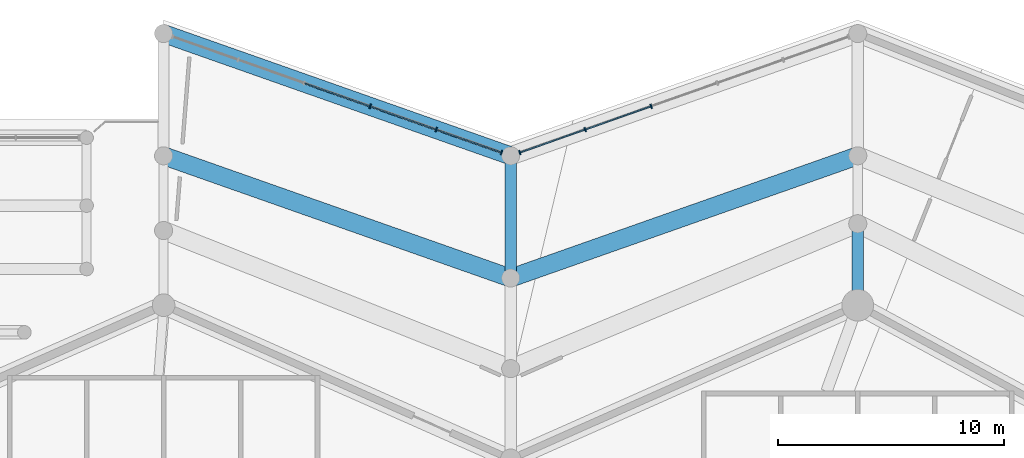
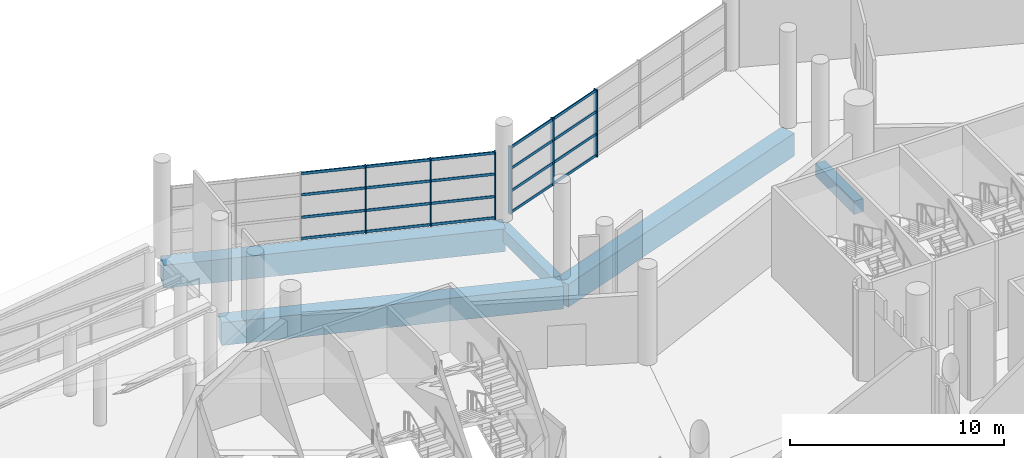
# One storey, part 107 of 271: 26 members, 5 beams, 2 elements without a shape of their own.
"""IFC4 building model written with IfcOpenShell, lengths in metres."""

from ifc_helpers import new_model, si_unit, direction, frame, origin, origin_2d, place, context, subcontext, project, spatial, rectangle, extrude, material, layer, layer_set, material_profile, profile_set, type_object, element, aggregate, save


model = new_model("IFC4")

# Units and contexts
model_context = context("Model", 3, precision=1e-05, world=origin(), true_north=direction((0.0, 1.0)))
body_context = subcontext(model_context, "Body", "Model", "MODEL_VIEW")
ifc_project = project(units=[si_unit("LENGTHUNIT", "METRE"), si_unit("AREAUNIT", "SQUARE_METRE"), si_unit("VOLUMEUNIT", "CUBIC_METRE"), si_unit("PLANEANGLEUNIT", "RADIAN"), si_unit("MASSUNIT", "GRAM", prefix="KILO")], contexts=[model_context])

# Site, building, storey
site_placement = place(None, origin())
site = spatial("IfcSite", under=ifc_project, at=site_placement, CompositionType="ELEMENT")
building_placement = place(site_placement, origin())
building = spatial("IfcBuilding", under=site, at=building_placement, Name="Meseta Stadium", CompositionType="ELEMENT")
storey_placement = place(building_placement, frame((0.0, 0.0, 6.5)))
storey = spatial("IfcBuildingStorey", under=building, at=storey_placement, Name="L01", CompositionType="ELEMENT", Elevation=6.5)

# Beams
ifc_material_1 = material(Name="Concrete C40/50", Category="concrete")
ifc_material_profile_1 = material_profile(ifc_material_1, rectangle(XDim=0.5, YDim=0.75, at=origin_2d()), Name="RC 500x750")
ifc_profile_set_1 = profile_set([ifc_material_profile_1], Name="Concrete C40/50")
beam_type_1 = type_object("IfcBeamType", Name="RC beam 500x750", PredefinedType="BEAM", material=ifc_profile_set_1)
beam_1_placement = place(storey_placement, frame((38.333251953125, 105.39990234375, -0.72509765625), z_axis=(0.0, 1.0, 0.0), x_axis=(-1.0, 0.0, 0.0)))
element("IfcBeam", 1, at=beam_1_placement, inside=storey, type_object=beam_type_1, Name="L01 radial beam frame 16 line R to M", PredefinedType="BEAM", context=body_context, shape_type="SweptSolid", body=[
    extrude(rectangle(XDim=0.5, YDim=0.75, at=origin_2d()), origin(), (0.0, 0.0, 1.0), 3.60009765625),
])
beam_2_placement = place(storey_placement, frame((23.0, 106.60009765625, -0.72509765625), z_axis=(0.0, 1.0, 0.0), x_axis=(-1.0, 0.0, 0.0)))
element("IfcBeam", 2, at=beam_2_placement, inside=storey, type_object=beam_type_1, Name="L01 radial beam frame 17 line Q to O", PredefinedType="BEAM", context=body_context, shape_type="SweptSolid", body=[
    extrude(rectangle(XDim=0.5, YDim=0.75, at=origin_2d()), origin(), (0.0, 0.0, 1.0), 5.39990234375),
])
ifc_material_2 = material(Name="Concrete C40/50", Category="concrete")
ifc_material_profile_2 = material_profile(ifc_material_2, rectangle(XDim=0.800048828125, YDim=1.300048828125, at=origin_2d()), Name="RC 800x1300")
ifc_profile_set_2 = profile_set([ifc_material_profile_2], Name="Concrete C40/50")
beam_type_2 = type_object("IfcBeamType", Name="RC beam 800x1300", PredefinedType="BEAM", material=ifc_profile_set_2)
for number, where, z_axis, x_axis, name in (
    (3, (38.333251953125, 112.0, -1.0), (-0.943218573019, -0.332172731439, 0.0), (0.332172731439, -0.943218573019, 0.0), "L01 ring beam frame 16 line Q"),
    (4, (23.0, 106.60009765625, -1.0), (-0.943218573019, 0.332172731439, 0.0), (-0.332172731439, -0.943218573019, 0.0), "L01 ring beam frame 17 line Q"),
    (5, (23.0, 112.0, -1.0), (-0.943218573019, 0.332172731439, 0.0), (-0.332172731439, -0.943218573019, 0.0), "L01 ring beam frame 17 line O"),
):
    element("IfcBeam", number, at=place(storey_placement, frame(where, z_axis=z_axis, x_axis=x_axis)), inside=storey, type_object=beam_type_2, Name=name, PredefinedType="BEAM", context=body_context, shape_type="SweptSolid", body=[
        extrude(rectangle(XDim=0.800048828125, YDim=1.300048828125, at=origin_2d()), origin(), (0.0, 0.0, 1.0), 16.25634765625),
    ])

# Curtain wall, members
ifc_material_3 = material(Name="Aluminium", Category="aluminium")
ifc_layer = layer(ifc_material_3, 0.199951171875)
ifc_layer_set = layer_set([ifc_layer], Name="Ring shopfront curtain wall")
curtain_wall_type = type_object("IfcCurtainWallType", Name="Ring shopfront curtain wall", PredefinedType="NOTDEFINED", material=ifc_layer_set)
curtain_wall_1_placement = place(storey_placement, origin())
curtain_wall_1 = element("IfcCurtainWall", 6, at=curtain_wall_1_placement, inside=storey, type_object=curtain_wall_type, Name="Ring glazing L01 F16", PredefinedType="NOTDEFINED")
ifc_material_4 = material(Name="Aluminium", Category="aluminium")
ifc_material_profile_3 = material_profile(ifc_material_4, rectangle(XDim=0.199951171875, YDim=0.06005859375, at=origin_2d()), Name="CW 200x60")
ifc_profile_set_3 = profile_set([ifc_material_profile_3], Name="Aluminium")
member_type_1 = type_object("IfcMemberType", Name="Ring CW mullion 60x200", PredefinedType="MULLION", material=ifc_profile_set_3)
member_1_placement = place(storey_placement, frame((29.208740234375, 114.1865234375, 0.0), z_axis=(0.0, 0.0, 1.0), x_axis=(0.332174330154, -0.943218009999, 0.0)))
member_1 = element("IfcMember", 7, at=member_1_placement, type_object=member_type_1, Name="CWR1 mullion 4", PredefinedType="MULLION", context=body_context, shape_type="SweptSolid", body=[
    extrude(rectangle(XDim=0.199951171875, YDim=0.06005859375, at=origin_2d()), origin(), (0.0, 0.0, 1.0), 3.85009765625),
])
member_2_placement = place(storey_placement, frame((26.29296875, 113.15966796875, 0.0), z_axis=(0.0, 0.0, 1.0), x_axis=(0.332174330154, -0.943218009999, 0.0)))
member_2 = element("IfcMember", 8, at=member_2_placement, type_object=member_type_1, Name="CWR1 mullion 5", PredefinedType="MULLION", context=body_context, shape_type="SweptSolid", body=[
    extrude(rectangle(XDim=0.199951171875, YDim=0.06005859375, at=origin_2d()), origin(), (0.0, 0.0, 1.0), 3.85009765625),
])
member_3_placement = place(storey_placement, frame((23.405517578125, 112.142822265625, 0.0), z_axis=(0.0, 0.0, 1.0), x_axis=(0.332174330154, -0.943218009999, 0.0)))
member_3 = element("IfcMember", 9, at=member_3_placement, type_object=member_type_1, Name="CWR1 mullion 6", PredefinedType="MULLION", context=body_context, shape_type="SweptSolid", body=[
    extrude(rectangle(XDim=0.199951171875, YDim=0.06005859375, at=origin_2d()), origin(), (0.0, 0.0, 1.0), 3.85009765625),
])

curtain_wall_2_placement = place(storey_placement, origin())
curtain_wall_2 = element("IfcCurtainWall", 10, at=curtain_wall_2_placement, inside=storey, type_object=curtain_wall_type, Name="Ring glazing L01 F17", PredefinedType="NOTDEFINED")
member_4_placement = place(storey_placement, frame((22.594482421875, 112.142822265625, 0.0), z_axis=(0.0, 0.0, 1.0), x_axis=(-0.332174330154, -0.943218009999, 0.0)))
member_4 = element("IfcMember", 11, at=member_4_placement, type_object=member_type_1, Name="CWR1 mullion 1", PredefinedType="MULLION", context=body_context, shape_type="SweptSolid", body=[
    extrude(rectangle(XDim=0.199951171875, YDim=0.06005859375, at=origin_2d()), origin(), (0.0, 0.0, 1.0), 3.85009765625),
])
member_5_placement = place(storey_placement, frame((19.70703125, 113.15966796875, 0.0), z_axis=(0.0, 0.0, 1.0), x_axis=(-0.332174330154, -0.943218009999, 0.0)))
member_5 = element("IfcMember", 12, at=member_5_placement, type_object=member_type_1, Name="CWR1 mullion 2", PredefinedType="MULLION", context=body_context, shape_type="SweptSolid", body=[
    extrude(rectangle(XDim=0.199951171875, YDim=0.06005859375, at=origin_2d()), origin(), (0.0, 0.0, 1.0), 3.85009765625),
])
member_6_placement = place(storey_placement, frame((16.791259765625, 114.1865234375, 0.0), z_axis=(0.0, 0.0, 1.0), x_axis=(-0.332174330154, -0.943218009999, 0.0)))
member_6 = element("IfcMember", 13, at=member_6_placement, type_object=member_type_1, Name="CWR1 mullion 3", PredefinedType="MULLION", context=body_context, shape_type="SweptSolid", body=[
    extrude(rectangle(XDim=0.199951171875, YDim=0.06005859375, at=origin_2d()), origin(), (0.0, 0.0, 1.0), 3.85009765625),
])

# Member
ifc_material_5 = material(Name="Aluminium", Category="aluminium")
ifc_material_profile_4 = material_profile(ifc_material_5, rectangle(XDim=0.06005859375, YDim=0.14990234375, at=origin_2d()), Name="CW 60x150")
ifc_profile_set_4 = profile_set([ifc_material_profile_4], Name="Aluminium")
member_type_2 = type_object("IfcMemberType", Name="Ring CW transom 60x150", PredefinedType="USERDEFINED", material=ifc_profile_set_4)
member_7_placement = place(storey_placement, frame((29.180419921875, 114.176513671875, 0.074951171875), z_axis=(-0.943225032885, -0.332154387808, 0.0), x_axis=(0.332154387808, -0.943225032885, 0.0)))
member_7 = element("IfcMember", 14, at=member_7_placement, type_object=member_type_2, Name="CWR1 transom 4.1", ObjectType="TRANSOM", PredefinedType="USERDEFINED", context=body_context, shape_type="SweptSolid", body=[
    extrude(rectangle(XDim=0.06005859375, YDim=0.14990234375, at=origin_2d()), origin(), (0.0, 0.0, 1.0), 3.03125),
])

member_8_placement = place(storey_placement, frame((29.180419921875, 114.176513671875, 1.283447265625), z_axis=(-0.943225032885, -0.332154387808, 0.0), x_axis=(0.332154387808, -0.943225032885, 0.0)))
member_8 = element("IfcMember", 15, at=member_8_placement, type_object=member_type_2, Name="CWR1 transom 4.2", ObjectType="TRANSOM", PredefinedType="USERDEFINED", context=body_context, shape_type="SweptSolid", body=[
    extrude(rectangle(XDim=0.06005859375, YDim=0.14990234375, at=origin_2d()), origin(), (0.0, 0.0, 1.0), 3.03125),
])

member_9_placement = place(storey_placement, frame((29.180419921875, 114.176513671875, 2.566650390625), z_axis=(-0.943225032885, -0.332154387808, 0.0), x_axis=(0.332154387808, -0.943225032885, 0.0)))
member_9 = element("IfcMember", 16, at=member_9_placement, type_object=member_type_2, Name="CWR1 transom 4.3", ObjectType="TRANSOM", PredefinedType="USERDEFINED", context=body_context, shape_type="SweptSolid", body=[
    extrude(rectangle(XDim=0.06005859375, YDim=0.14990234375, at=origin_2d()), origin(), (0.0, 0.0, 1.0), 3.03125),
])

member_10_placement = place(storey_placement, frame((29.180419921875, 114.176513671875, 3.77490234375), z_axis=(-0.943225032885, -0.332154387808, 0.0), x_axis=(0.332154387808, -0.943225032885, 0.0)))
member_10 = element("IfcMember", 17, at=member_10_placement, type_object=member_type_2, Name="CWR1 transom 4.4", ObjectType="TRANSOM", PredefinedType="USERDEFINED", context=body_context, shape_type="SweptSolid", body=[
    extrude(rectangle(XDim=0.06005859375, YDim=0.14990234375, at=origin_2d()), origin(), (0.0, 0.0, 1.0), 3.03125),
])

member_11_placement = place(storey_placement, frame((26.2646484375, 113.149658203125, 0.074951171875), z_axis=(-0.943228878245, -0.332143467863, 0.0), x_axis=(0.332143467863, -0.943228878245, 0.0)))
member_11 = element("IfcMember", 18, at=member_11_placement, type_object=member_type_2, Name="CWR1 transom 5.1", ObjectType="TRANSOM", PredefinedType="USERDEFINED", context=body_context, shape_type="SweptSolid", body=[
    extrude(rectangle(XDim=0.06005859375, YDim=0.14990234375, at=origin_2d()), origin(), (0.0, 0.0, 1.0), 3.001220703125),
])

member_12_placement = place(storey_placement, frame((26.2646484375, 113.149658203125, 1.283447265625), z_axis=(-0.943228878245, -0.332143467863, 0.0), x_axis=(0.332143467863, -0.943228878245, 0.0)))
member_12 = element("IfcMember", 19, at=member_12_placement, type_object=member_type_2, Name="CWR1 transom 5.2", ObjectType="TRANSOM", PredefinedType="USERDEFINED", context=body_context, shape_type="SweptSolid", body=[
    extrude(rectangle(XDim=0.06005859375, YDim=0.14990234375, at=origin_2d()), origin(), (0.0, 0.0, 1.0), 3.001220703125),
])

member_13_placement = place(storey_placement, frame((26.2646484375, 113.149658203125, 2.566650390625), z_axis=(-0.943228878245, -0.332143467863, 0.0), x_axis=(0.332143467863, -0.943228878245, 0.0)))
member_13 = element("IfcMember", 20, at=member_13_placement, type_object=member_type_2, Name="CWR1 transom 5.3", ObjectType="TRANSOM", PredefinedType="USERDEFINED", context=body_context, shape_type="SweptSolid", body=[
    extrude(rectangle(XDim=0.06005859375, YDim=0.14990234375, at=origin_2d()), origin(), (0.0, 0.0, 1.0), 3.001220703125),
])

member_14_placement = place(storey_placement, frame((26.2646484375, 113.149658203125, 3.77490234375), z_axis=(-0.943228878245, -0.332143467863, 0.0), x_axis=(0.332143467863, -0.943228878245, 0.0)))
member_14 = element("IfcMember", 21, at=member_14_placement, type_object=member_type_2, Name="CWR1 transom 5.4", ObjectType="TRANSOM", PredefinedType="USERDEFINED", context=body_context, shape_type="SweptSolid", body=[
    extrude(rectangle(XDim=0.06005859375, YDim=0.14990234375, at=origin_2d()), origin(), (0.0, 0.0, 1.0), 3.001220703125),
])

aggregate(curtain_wall_1, [member_1, member_2, member_3, member_7, member_8, member_9, member_10, member_11, member_12, member_13, member_14])

member_15_placement = place(storey_placement, frame((22.566162109375, 112.15283203125, 0.074951171875), z_axis=(-0.943228878245, 0.332143467863, 0.0), x_axis=(-0.332143467863, -0.943228878245, 0.0)))
member_15 = element("IfcMember", 22, at=member_15_placement, type_object=member_type_2, Name="CWR1 transom 1.1", ObjectType="TRANSOM", PredefinedType="USERDEFINED", context=body_context, shape_type="SweptSolid", body=[
    extrude(rectangle(XDim=0.06005859375, YDim=0.14990234375, at=origin_2d()), origin(), (0.0, 0.0, 1.0), 3.001220703125),
])

member_16_placement = place(storey_placement, frame((22.566162109375, 112.15283203125, 1.283447265625), z_axis=(-0.943228878245, 0.332143467863, 0.0), x_axis=(-0.332143467863, -0.943228878245, 0.0)))
member_16 = element("IfcMember", 23, at=member_16_placement, type_object=member_type_2, Name="CWR1 transom 1.2", ObjectType="TRANSOM", PredefinedType="USERDEFINED", context=body_context, shape_type="SweptSolid", body=[
    extrude(rectangle(XDim=0.06005859375, YDim=0.14990234375, at=origin_2d()), origin(), (0.0, 0.0, 1.0), 3.001220703125),
])

member_17_placement = place(storey_placement, frame((22.566162109375, 112.15283203125, 2.566650390625), z_axis=(-0.943228878245, 0.332143467863, 0.0), x_axis=(-0.332143467863, -0.943228878245, 0.0)))
member_17 = element("IfcMember", 24, at=member_17_placement, type_object=member_type_2, Name="CWR1 transom 1.3", ObjectType="TRANSOM", PredefinedType="USERDEFINED", context=body_context, shape_type="SweptSolid", body=[
    extrude(rectangle(XDim=0.06005859375, YDim=0.14990234375, at=origin_2d()), origin(), (0.0, 0.0, 1.0), 3.001220703125),
])

member_18_placement = place(storey_placement, frame((22.566162109375, 112.15283203125, 3.77490234375), z_axis=(-0.943228878245, 0.332143467863, 0.0), x_axis=(-0.332143467863, -0.943228878245, 0.0)))
member_18 = element("IfcMember", 25, at=member_18_placement, type_object=member_type_2, Name="CWR1 transom 1.4", ObjectType="TRANSOM", PredefinedType="USERDEFINED", context=body_context, shape_type="SweptSolid", body=[
    extrude(rectangle(XDim=0.06005859375, YDim=0.14990234375, at=origin_2d()), origin(), (0.0, 0.0, 1.0), 3.001220703125),
])

member_19_placement = place(storey_placement, frame((19.6787109375, 113.169677734375, 0.074951171875), z_axis=(-0.943225032885, 0.332154387808, 0.0), x_axis=(-0.332154387808, -0.943225032885, 0.0)))
member_19 = element("IfcMember", 26, at=member_19_placement, type_object=member_type_2, Name="CWR1 transom 2.1", ObjectType="TRANSOM", PredefinedType="USERDEFINED", context=body_context, shape_type="SweptSolid", body=[
    extrude(rectangle(XDim=0.06005859375, YDim=0.14990234375, at=origin_2d()), origin(), (0.0, 0.0, 1.0), 3.03125),
])

member_20_placement = place(storey_placement, frame((19.6787109375, 113.169677734375, 1.283447265625), z_axis=(-0.943225032885, 0.332154387808, 0.0), x_axis=(-0.332154387808, -0.943225032885, 0.0)))
member_20 = element("IfcMember", 27, at=member_20_placement, type_object=member_type_2, Name="CWR1 transom 2.2", ObjectType="TRANSOM", PredefinedType="USERDEFINED", context=body_context, shape_type="SweptSolid", body=[
    extrude(rectangle(XDim=0.06005859375, YDim=0.14990234375, at=origin_2d()), origin(), (0.0, 0.0, 1.0), 3.03125),
])

member_21_placement = place(storey_placement, frame((19.6787109375, 113.169677734375, 2.566650390625), z_axis=(-0.943225032885, 0.332154387808, 0.0), x_axis=(-0.332154387808, -0.943225032885, 0.0)))
member_21 = element("IfcMember", 28, at=member_21_placement, type_object=member_type_2, Name="CWR1 transom 2.3", ObjectType="TRANSOM", PredefinedType="USERDEFINED", context=body_context, shape_type="SweptSolid", body=[
    extrude(rectangle(XDim=0.06005859375, YDim=0.14990234375, at=origin_2d()), origin(), (0.0, 0.0, 1.0), 3.03125),
])

member_22_placement = place(storey_placement, frame((19.6787109375, 113.169677734375, 3.77490234375), z_axis=(-0.943225032885, 0.332154387808, 0.0), x_axis=(-0.332154387808, -0.943225032885, 0.0)))
member_22 = element("IfcMember", 29, at=member_22_placement, type_object=member_type_2, Name="CWR1 transom 2.4", ObjectType="TRANSOM", PredefinedType="USERDEFINED", context=body_context, shape_type="SweptSolid", body=[
    extrude(rectangle(XDim=0.06005859375, YDim=0.14990234375, at=origin_2d()), origin(), (0.0, 0.0, 1.0), 3.03125),
])

member_23_placement = place(storey_placement, frame((16.762939453125, 114.196533203125, 0.074951171875), z_axis=(-0.943225032885, 0.332154387808, 0.0), x_axis=(-0.332154387808, -0.943225032885, 0.0)))
member_23 = element("IfcMember", 30, at=member_23_placement, type_object=member_type_2, Name="CWR1 transom 3.1", ObjectType="TRANSOM", PredefinedType="USERDEFINED", context=body_context, shape_type="SweptSolid", body=[
    extrude(rectangle(XDim=0.06005859375, YDim=0.14990234375, at=origin_2d()), origin(), (0.0, 0.0, 1.0), 3.03125),
])

member_24_placement = place(storey_placement, frame((16.762939453125, 114.196533203125, 1.283447265625), z_axis=(-0.943225032885, 0.332154387808, 0.0), x_axis=(-0.332154387808, -0.943225032885, 0.0)))
member_24 = element("IfcMember", 31, at=member_24_placement, type_object=member_type_2, Name="CWR1 transom 3.2", ObjectType="TRANSOM", PredefinedType="USERDEFINED", context=body_context, shape_type="SweptSolid", body=[
    extrude(rectangle(XDim=0.06005859375, YDim=0.14990234375, at=origin_2d()), origin(), (0.0, 0.0, 1.0), 3.03125),
])

member_25_placement = place(storey_placement, frame((16.762939453125, 114.196533203125, 2.566650390625), z_axis=(-0.943225032885, 0.332154387808, 0.0), x_axis=(-0.332154387808, -0.943225032885, 0.0)))
member_25 = element("IfcMember", 32, at=member_25_placement, type_object=member_type_2, Name="CWR1 transom 3.3", ObjectType="TRANSOM", PredefinedType="USERDEFINED", context=body_context, shape_type="SweptSolid", body=[
    extrude(rectangle(XDim=0.06005859375, YDim=0.14990234375, at=origin_2d()), origin(), (0.0, 0.0, 1.0), 3.03125),
])

member_26_placement = place(storey_placement, frame((16.762939453125, 114.196533203125, 3.77490234375), z_axis=(-0.943225032885, 0.332154387808, 0.0), x_axis=(-0.332154387808, -0.943225032885, 0.0)))
member_26 = element("IfcMember", 33, at=member_26_placement, type_object=member_type_2, Name="CWR1 transom 3.4", ObjectType="TRANSOM", PredefinedType="USERDEFINED", context=body_context, shape_type="SweptSolid", body=[
    extrude(rectangle(XDim=0.06005859375, YDim=0.14990234375, at=origin_2d()), origin(), (0.0, 0.0, 1.0), 3.03125),
])

aggregate(curtain_wall_2, [member_4, member_5, member_6, member_15, member_16, member_17, member_18, member_19, member_20, member_21, member_22, member_23, member_24, member_25, member_26])

save(model, "model.ifc")
